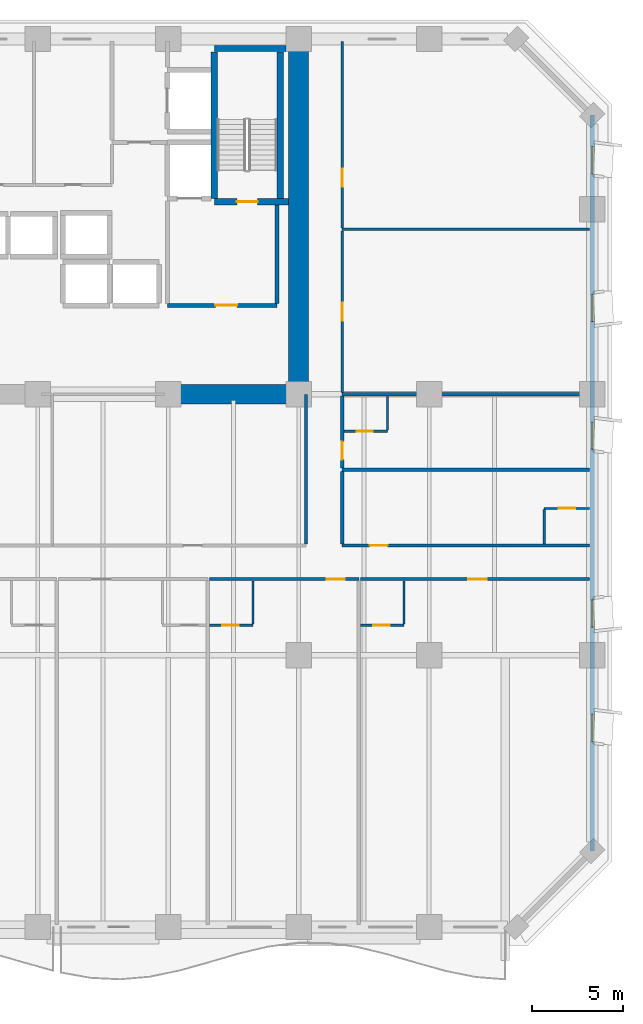
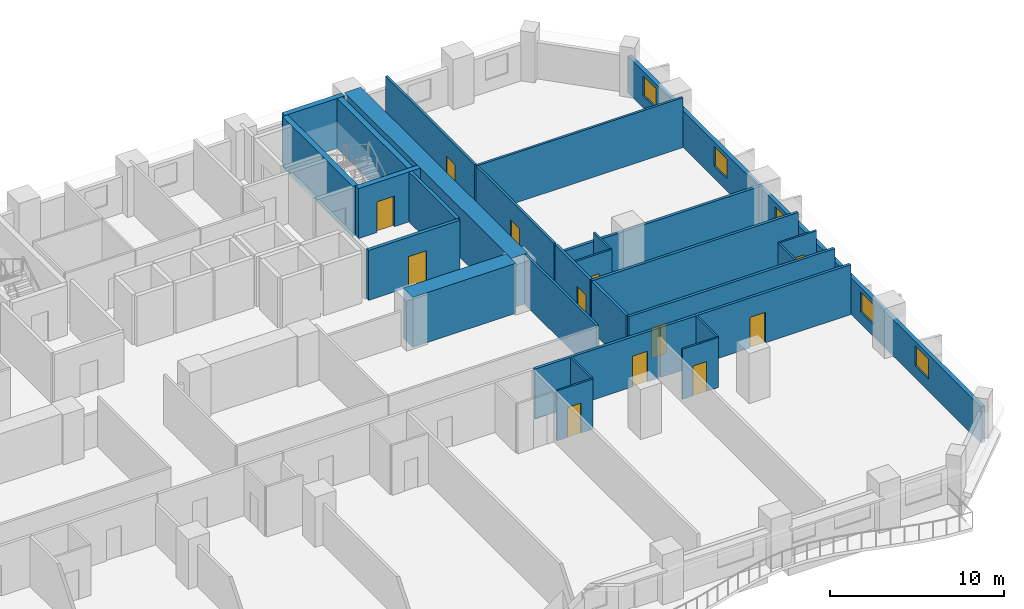
# One storey, part 10 of 15: 28 walls, 12 doors, 5 windows, 17 openings.
"""IFC4 building model written with IfcOpenShell, lengths in metres."""

from ifc_helpers import new_model, si_unit, direction, frame, frame_2d, origin, place, context, subcontext, project, spatial, rectangle, extrude, material, layer, layer_set, type_object, element, fill, save


model = new_model("IFC4")

# Units and contexts
model_context = context("Model", 3, precision=1e-05, world=origin(), true_north=direction((0.0, 1.0)))
body_context = subcontext(model_context, "Body", "Model", "MODEL_VIEW")
ifc_project = project(units=[si_unit("LENGTHUNIT", "METRE"), si_unit("AREAUNIT", "SQUARE_METRE"), si_unit("VOLUMEUNIT", "CUBIC_METRE"), si_unit("PLANEANGLEUNIT", "RADIAN"), si_unit("MASSUNIT", "GRAM", prefix="KILO")], contexts=[model_context])

# Site, building, storey
site_placement = place(None, origin())
site = spatial("IfcSite", under=ifc_project, at=site_placement, CompositionType="ELEMENT")
building_placement = place(site_placement, origin())
building = spatial("IfcBuilding", under=site, at=building_placement, Name="Kaelvorn Grand Hotel", CompositionType="ELEMENT")
storey_placement = place(building_placement, frame((0.0, 0.0, 72.64990234375)))
storey = spatial("IfcBuildingStorey", under=building, at=storey_placement, Name="L16", CompositionType="ELEMENT", Elevation=72.64990234375)

# Walls
ifc_material_1 = material(Name="Concrete C80/95", Category="concrete")
ifc_layer_1 = layer(ifc_material_1, 1.10009765625)
ifc_layer_set_1 = layer_set([ifc_layer_1], Name="Concrete C80/95")
wall_type_1 = type_object("IfcWallType", Name="WL-CORE-1100-C80", PredefinedType="SHEAR", material=ifc_layer_set_1)
wall_1_placement = place(storey_placement, frame((67.800048828125, 29.39990234375, 0.0), z_axis=(0.0, 0.0, 1.0), x_axis=(0.0, 1.0, 0.0)))
element("IfcWall", 1, at=wall_1_placement, inside=storey, type_object=wall_type_1, Name="L16 Rear-Core East Shear Wall", PredefinedType="SHEAR", context=body_context, shape_type="SweptSolid", body=[
    extrude(rectangle(XDim=19.2001953125, YDim=1.10009765625, at=frame_2d((9.60009765625, 0.0))), origin(), (0.0, 0.0, 1.0), 3.510009765625),
])
wall_2_placement = place(storey_placement, frame((60.39990234375, 29.39990234375, 0.0), z_axis=(0.0, 0.0, 1.0), x_axis=(1.0, 0.0, 0.0)))
element("IfcWall", 2, at=wall_2_placement, inside=storey, type_object=wall_type_1, Name="L16 Rear-Core Coupled Shear Pier S4", PredefinedType="SHEAR", context=body_context, shape_type="SweptSolid", body=[
    extrude(rectangle(XDim=6.84521484375, YDim=1.10009765625, at=frame_2d((3.422607421875, 0.0))), origin(), (0.0, 0.0, 1.0), 3.510009765625),
])

# Wall, openings, windows
ifc_material_2 = material(Name="Concrete C40/50", Category="concrete")
ifc_layer_2 = layer(ifc_material_2, 0.260009765625)
ifc_layer_set_2 = layer_set([ifc_layer_2], Name="Concrete C40/50")
wall_type_2 = type_object("IfcWallType", Name="WL-EXT-260-C40", PredefinedType="SOLIDWALL", material=ifc_layer_set_2)
wall_3_placement = place(storey_placement, frame((84.0, 4.199951171875, 0.0), z_axis=(0.0, 0.0, 1.0), x_axis=(0.0, 1.0, 0.0)))
wall_3 = element("IfcWall", 3, at=wall_3_placement, inside=storey, type_object=wall_type_2, Name="L16 Exterior Architectural Concrete Wall 03", PredefinedType="SOLIDWALL", context=body_context, shape_type="SweptSolid", body=[
    extrude(rectangle(XDim=40.60009765625, YDim=0.260009765625, at=frame_2d((20.300048828125, 0.0))), origin(), (0.0, 0.0, 1.0), 2.56005859375),
])
opening_1_placement = place(wall_3_placement, frame((6.050048828125, 0.0, 0.85009765625)))
opening_1 = element("IfcOpeningElement", 4, at=opening_1_placement, cuts=wall_3, Name="Opening W10", PredefinedType="OPENING", context=body_context, shape_type="SweptSolid", body=[
    extrude(rectangle(XDim=1.5, YDim=1.39990234375, at=frame_2d((0.75, 0.699951171875))), frame((0.0, 0.14013671875, 0.0), z_axis=(0.0, -1.0, 0.0), x_axis=(1.0, 0.0, 0.0)), (0.0, 0.0, 1.0), 0.280029296875),
])
opening_2_placement = place(wall_3_placement, frame((12.35009765625, 0.0, 0.85009765625)))
opening_2 = element("IfcOpeningElement", 5, at=opening_2_placement, cuts=wall_3, Name="Opening W10", PredefinedType="OPENING", context=body_context, shape_type="SweptSolid", body=[
    extrude(rectangle(XDim=1.5, YDim=1.39990234375, at=frame_2d((0.75, 0.699951171875))), frame((0.0, 0.14013671875, 0.0), z_axis=(0.0, -1.0, 0.0), x_axis=(1.0, 0.0, 0.0)), (0.0, 0.0, 1.0), 0.280029296875),
])
opening_3_placement = place(wall_3_placement, frame((22.1650390625, 0.0, 0.85009765625)))
opening_3 = element("IfcOpeningElement", 6, at=opening_3_placement, cuts=wall_3, Name="Opening W10", PredefinedType="OPENING", context=body_context, shape_type="SweptSolid", body=[
    extrude(rectangle(XDim=1.5, YDim=1.39990234375, at=frame_2d((0.75, 0.699951171875))), frame((0.0, 0.14013671875, 0.0), z_axis=(0.0, -1.0, 0.0), x_axis=(1.0, 0.0, 0.0)), (0.0, 0.0, 1.0), 0.280029296875),
])
opening_4_placement = place(wall_3_placement, frame((29.199951171875, 0.0, 0.85009765625)))
opening_4 = element("IfcOpeningElement", 7, at=opening_4_placement, cuts=wall_3, Name="Opening W10", PredefinedType="OPENING", context=body_context, shape_type="SweptSolid", body=[
    extrude(rectangle(XDim=1.5, YDim=1.39990234375, at=frame_2d((0.75, 0.699951171875))), frame((0.0, 0.14013671875, 0.0), z_axis=(0.0, -1.0, 0.0), x_axis=(1.0, 0.0, 0.0)), (0.0, 0.0, 1.0), 0.280029296875),
])
opening_5_placement = place(wall_3_placement, frame((37.364990234375, 0.0, 0.85009765625)))
opening_5 = element("IfcOpeningElement", 8, at=opening_5_placement, cuts=wall_3, Name="Opening W10", PredefinedType="OPENING", context=body_context, shape_type="SweptSolid", body=[
    extrude(rectangle(XDim=1.5, YDim=1.39990234375, at=frame_2d((0.75, 0.699951171875))), frame((0.0, 0.14013671875, 0.0), z_axis=(0.0, -1.0, 0.0), x_axis=(1.0, 0.0, 0.0)), (0.0, 0.0, 1.0), 0.280029296875),
])
ifc_material_3 = material(Name="Laminated Low-E Glass", Category="glass")
window_type = type_object("IfcWindowType", Name="WIN-COR-1500x1400", PartitioningType="SINGLE_PANEL", PredefinedType="WINDOW", material=ifc_material_3)
window_1_placement = place(opening_1_placement, origin())
window_1 = element("IfcWindow", 9, at=window_1_placement, inside=storey, type_object=window_type, Name="L16 E Wing Tilted-Frame Ribbon Window E01", OverallHeight=1.39990234375, OverallWidth=1.5, PartitioningType="SINGLE_PANEL", PredefinedType="WINDOW", context=body_context, shape_type="SweptSolid", body=[
    extrude(rectangle(XDim=1.5, YDim=1.39990234375, at=frame_2d((0.75, 0.699951171875))), frame((0.0, 0.030029296875, 0.0), z_axis=(0.0, -1.0, 0.0), x_axis=(1.0, 0.0, 0.0)), (0.0, 0.0, 1.0), 0.06005859375),
])
fill(opening_1, window_1)
window_2_placement = place(opening_2_placement, origin())
window_2 = element("IfcWindow", 10, at=window_2_placement, inside=storey, type_object=window_type, Name="L16 E Wing Tilted-Frame Ribbon Window E02", OverallHeight=1.39990234375, OverallWidth=1.5, PartitioningType="SINGLE_PANEL", PredefinedType="WINDOW", context=body_context, shape_type="SweptSolid", body=[
    extrude(rectangle(XDim=1.5, YDim=1.39990234375, at=frame_2d((0.75, 0.699951171875))), frame((0.0, 0.030029296875, 0.0), z_axis=(0.0, -1.0, 0.0), x_axis=(1.0, 0.0, 0.0)), (0.0, 0.0, 1.0), 0.06005859375),
])
fill(opening_2, window_2)
window_3_placement = place(opening_3_placement, origin())
window_3 = element("IfcWindow", 11, at=window_3_placement, inside=storey, type_object=window_type, Name="L16 E Wing Tilted-Frame Ribbon Window E03", OverallHeight=1.39990234375, OverallWidth=1.5, PartitioningType="SINGLE_PANEL", PredefinedType="WINDOW", context=body_context, shape_type="SweptSolid", body=[
    extrude(rectangle(XDim=1.5, YDim=1.39990234375, at=frame_2d((0.75, 0.699951171875))), frame((0.0, 0.030029296875, 0.0), z_axis=(0.0, -1.0, 0.0), x_axis=(1.0, 0.0, 0.0)), (0.0, 0.0, 1.0), 0.06005859375),
])
fill(opening_3, window_3)
window_4_placement = place(opening_4_placement, origin())
window_4 = element("IfcWindow", 12, at=window_4_placement, inside=storey, type_object=window_type, Name="L16 E Wing Tilted-Frame Ribbon Window E04", OverallHeight=1.39990234375, OverallWidth=1.5, PartitioningType="SINGLE_PANEL", PredefinedType="WINDOW", context=body_context, shape_type="SweptSolid", body=[
    extrude(rectangle(XDim=1.5, YDim=1.39990234375, at=frame_2d((0.75, 0.699951171875))), frame((0.0, 0.030029296875, 0.0), z_axis=(0.0, -1.0, 0.0), x_axis=(1.0, 0.0, 0.0)), (0.0, 0.0, 1.0), 0.06005859375),
])
fill(opening_4, window_4)
window_5_placement = place(opening_5_placement, origin())
window_5 = element("IfcWindow", 13, at=window_5_placement, inside=storey, type_object=window_type, Name="L16 E Wing Tilted-Frame Ribbon Window E05", OverallHeight=1.39990234375, OverallWidth=1.5, PartitioningType="SINGLE_PANEL", PredefinedType="WINDOW", context=body_context, shape_type="SweptSolid", body=[
    extrude(rectangle(XDim=1.5, YDim=1.39990234375, at=frame_2d((0.75, 0.699951171875))), frame((0.0, 0.030029296875, 0.0), z_axis=(0.0, -1.0, 0.0), x_axis=(1.0, 0.0, 0.0)), (0.0, 0.0, 1.0), 0.06005859375),
])
fill(opening_5, window_5)

# Wall, opening, door
ifc_material_4 = material(Name="Moisture-Resistant Tile & Stud Board")
ifc_layer_3 = layer(ifc_material_4, 0.125)
ifc_layer_set_3 = layer_set([ifc_layer_3], Name="Moisture-Resistant Tile & Stud Board")
wall_type_3 = type_object("IfcWallType", Name="WL-PART-125-WET", PredefinedType="PARTITIONING", material=ifc_layer_set_3)
wall_4_placement = place(storey_placement, frame((62.8779296875, 16.64990234375, 0.0), z_axis=(0.0, 0.0, 1.0), x_axis=(1.0, 0.0, 0.0)))
wall_4 = element("IfcWall", 14, at=wall_4_placement, inside=storey, type_object=wall_type_3, Name="L16 En-suite Bathroom L16-08 S Partition", PredefinedType="PARTITIONING", context=body_context, shape_type="SweptSolid", body=[
    extrude(rectangle(XDim=2.405029296875, YDim=0.125, at=frame_2d((1.20263671875, 0.0))), origin(), (0.0, 0.0, 1.0), 3.510009765625),
])
opening_6_placement = place(wall_4_placement, frame((0.705078125, 0.0, 0.0)))
opening_6 = element("IfcOpeningElement", 15, at=opening_6_placement, cuts=wall_4, Name="Opening DI4", PredefinedType="OPENING", context=body_context, shape_type="SweptSolid", body=[
    extrude(rectangle(XDim=0.89990234375, YDim=2.10009765625, at=frame_2d((0.449951171875, 1.050048828125))), frame((0.0, 0.072509765625, 0.0), z_axis=(0.0, -1.0, 0.0), x_axis=(1.0, 0.0, 0.0)), (0.0, 0.0, 1.0), 0.14501953125),
])
ifc_material_5 = material(Name="Timber Veneer Leaf", Category="wood")
door_type_1 = type_object("IfcDoorType", Name="DR-INT-BATH-900x2100", OperationType="NOTDEFINED", PredefinedType="DOOR", material=ifc_material_5)
door_1_placement = place(opening_6_placement, origin())
door_1 = element("IfcDoor", 16, at=door_1_placement, inside=storey, type_object=door_type_1, Name="L16 En-suite Bathroom L16-08 Door", OperationType="SINGLE_SWING_RIGHT", OverallHeight=2.10009765625, OverallWidth=0.89990234375, PredefinedType="DOOR", context=body_context, shape_type="SweptSolid", body=[
    extrude(rectangle(XDim=0.89990234375, YDim=2.10009765625, at=frame_2d((0.449951171875, 1.050048828125))), frame((0.0, 0.02490234375, 0.0), z_axis=(0.0, -1.0, 0.0), x_axis=(1.0, 0.0, 0.0)), (0.0, 0.0, 1.0), 0.050048828125),
])
fill(opening_6, door_1)

# Wall
wall_5_placement = place(storey_placement, frame((65.282958984375, 16.717529296875, 0.0), z_axis=(0.0, 0.0, 1.0), x_axis=(0.0, 1.0, 0.0)))
element("IfcWall", 17, at=wall_5_placement, inside=storey, type_object=wall_type_3, Name="L16 En-suite Bathroom L16-08 E Partition", PredefinedType="PARTITIONING", context=body_context, shape_type="SweptSolid", body=[
    extrude(rectangle(XDim=2.387451171875, YDim=0.125, at=frame_2d((1.19384765625, 0.0))), origin(), (0.0, 0.0, 1.0), 3.510009765625),
])

# Wall, opening, door
wall_6_placement = place(storey_placement, frame((71.211181640625, 16.64990234375, 0.0), z_axis=(0.0, 0.0, 1.0), x_axis=(1.0, 0.0, 0.0)))
wall_6 = element("IfcWall", 18, at=wall_6_placement, inside=storey, type_object=wall_type_3, Name="L16 En-suite Bathroom L16-09 S Partition", PredefinedType="PARTITIONING", context=body_context, shape_type="SweptSolid", body=[
    extrude(rectangle(XDim=2.405029296875, YDim=0.125, at=frame_2d((1.20263671875, 0.0))), origin(), (0.0, 0.0, 1.0), 3.510009765625),
])
opening_7_placement = place(wall_6_placement, frame((0.705078125, 0.0, 0.0)))
opening_7 = element("IfcOpeningElement", 19, at=opening_7_placement, cuts=wall_6, Name="Opening DI4", PredefinedType="OPENING", context=body_context, shape_type="SweptSolid", body=[
    extrude(rectangle(XDim=0.89990234375, YDim=2.10009765625, at=frame_2d((0.449951171875, 1.050048828125))), frame((0.0, 0.072509765625, 0.0), z_axis=(0.0, -1.0, 0.0), x_axis=(1.0, 0.0, 0.0)), (0.0, 0.0, 1.0), 0.14501953125),
])
door_2_placement = place(opening_7_placement, origin())
door_2 = element("IfcDoor", 20, at=door_2_placement, inside=storey, type_object=door_type_1, Name="L16 En-suite Bathroom L16-09 Door", OperationType="SINGLE_SWING_RIGHT", OverallHeight=2.10009765625, OverallWidth=0.89990234375, PredefinedType="DOOR", context=body_context, shape_type="SweptSolid", body=[
    extrude(rectangle(XDim=0.89990234375, YDim=2.10009765625, at=frame_2d((0.449951171875, 1.050048828125))), frame((0.0, 0.02490234375, 0.0), z_axis=(0.0, -1.0, 0.0), x_axis=(1.0, 0.0, 0.0)), (0.0, 0.0, 1.0), 0.050048828125),
])
fill(opening_7, door_2)

# Wall
wall_7_placement = place(storey_placement, frame((73.6162109375, 16.717529296875, 0.0), z_axis=(0.0, 0.0, 1.0), x_axis=(0.0, 1.0, 0.0)))
element("IfcWall", 21, at=wall_7_placement, inside=storey, type_object=wall_type_3, Name="L16 En-suite Bathroom L16-09 E Partition", PredefinedType="PARTITIONING", context=body_context, shape_type="SweptSolid", body=[
    extrude(rectangle(XDim=2.387451171875, YDim=0.125, at=frame_2d((1.19384765625, 0.0))), origin(), (0.0, 0.0, 1.0), 3.510009765625),
])

# Wall, opening, door
wall_8_placement = place(storey_placement, frame((81.35009765625, 23.10009765625, 0.0), z_axis=(0.0, 0.0, 1.0), x_axis=(1.0, 0.0, 0.0)))
wall_8 = element("IfcWall", 22, at=wall_8_placement, inside=storey, type_object=wall_type_3, Name="L16 En-suite Bathroom L16-12 N Partition", PredefinedType="PARTITIONING", context=body_context, shape_type="SweptSolid", body=[
    extrude(rectangle(XDim=2.5, YDim=0.125, at=frame_2d((1.25, 0.0))), origin(), (0.0, 0.0, 1.0), 3.510009765625),
])
opening_8_placement = place(wall_8_placement, frame((0.800048828125, 0.0, 0.0)))
opening_8 = element("IfcOpeningElement", 23, at=opening_8_placement, cuts=wall_8, Name="Opening DI4", PredefinedType="OPENING", context=body_context, shape_type="SweptSolid", body=[
    extrude(rectangle(XDim=0.89990234375, YDim=2.10009765625, at=frame_2d((0.449951171875, 1.050048828125))), frame((0.0, 0.072509765625, 0.0), z_axis=(0.0, -1.0, 0.0), x_axis=(1.0, 0.0, 0.0)), (0.0, 0.0, 1.0), 0.14501953125),
])
door_3_placement = place(opening_8_placement, origin())
door_3 = element("IfcDoor", 24, at=door_3_placement, inside=storey, type_object=door_type_1, Name="L16 En-suite Bathroom L16-12 Door", OperationType="SINGLE_SWING_RIGHT", OverallHeight=2.10009765625, OverallWidth=0.89990234375, PredefinedType="DOOR", context=body_context, shape_type="SweptSolid", body=[
    extrude(rectangle(XDim=0.89990234375, YDim=2.10009765625, at=frame_2d((0.449951171875, 1.050048828125))), frame((0.0, 0.02490234375, 0.0), z_axis=(0.0, -1.0, 0.0), x_axis=(1.0, 0.0, 0.0)), (0.0, 0.0, 1.0), 0.050048828125),
])
fill(opening_8, door_3)

# Wall
wall_9_placement = place(storey_placement, frame((81.35009765625, 21.14501953125, 0.0), z_axis=(0.0, 0.0, 1.0), x_axis=(0.0, 1.0, 0.0)))
element("IfcWall", 25, at=wall_9_placement, inside=storey, type_object=wall_type_3, Name="L16 En-suite Bathroom L16-12 W Partition", PredefinedType="PARTITIONING", context=body_context, shape_type="SweptSolid", body=[
    extrude(rectangle(XDim=1.887451171875, YDim=0.125, at=frame_2d((0.94384765625, 0.0))), origin(), (0.0, 0.0, 1.0), 3.510009765625),
])

# Wall, opening, door
wall_10_placement = place(storey_placement, frame((70.294921875, 27.35009765625, 0.0), z_axis=(0.0, 0.0, 1.0), x_axis=(1.0, 0.0, 0.0)))
wall_10 = element("IfcWall", 26, at=wall_10_placement, inside=storey, type_object=wall_type_3, Name="L16 En-suite Bathroom L16-13 S Partition", PredefinedType="PARTITIONING", context=body_context, shape_type="SweptSolid", body=[
    extrude(rectangle(XDim=2.405029296875, YDim=0.125, at=frame_2d((1.20263671875, 0.0))), origin(), (0.0, 0.0, 1.0), 3.510009765625),
])
opening_9_placement = place(wall_10_placement, frame((0.705078125, 0.0, 0.0)))
opening_9 = element("IfcOpeningElement", 27, at=opening_9_placement, cuts=wall_10, Name="Opening DI4", PredefinedType="OPENING", context=body_context, shape_type="SweptSolid", body=[
    extrude(rectangle(XDim=0.89990234375, YDim=2.10009765625, at=frame_2d((0.449951171875, 1.050048828125))), frame((0.0, 0.072509765625, 0.0), z_axis=(0.0, -1.0, 0.0), x_axis=(1.0, 0.0, 0.0)), (0.0, 0.0, 1.0), 0.14501953125),
])
door_4_placement = place(opening_9_placement, origin())
door_4 = element("IfcDoor", 28, at=door_4_placement, inside=storey, type_object=door_type_1, Name="L16 En-suite Bathroom L16-13 Door", OperationType="SINGLE_SWING_RIGHT", OverallHeight=2.10009765625, OverallWidth=0.89990234375, PredefinedType="DOOR", context=body_context, shape_type="SweptSolid", body=[
    extrude(rectangle(XDim=0.89990234375, YDim=2.10009765625, at=frame_2d((0.449951171875, 1.050048828125))), frame((0.0, 0.02490234375, 0.0), z_axis=(0.0, -1.0, 0.0), x_axis=(1.0, 0.0, 0.0)), (0.0, 0.0, 1.0), 0.050048828125),
])
fill(opening_9, door_4)

# Walls
wall_11_placement = place(storey_placement, frame((72.699951171875, 27.41748046875, 0.0), z_axis=(0.0, 0.0, 1.0), x_axis=(0.0, 1.0, 0.0)))
element("IfcWall", 29, at=wall_11_placement, inside=storey, type_object=wall_type_3, Name="L16 En-suite Bathroom L16-13 E Partition", PredefinedType="PARTITIONING", context=body_context, shape_type="SweptSolid", body=[
    extrude(rectangle(XDim=1.887451171875, YDim=0.125, at=frame_2d((0.94384765625, 0.0))), origin(), (0.0, 0.0, 1.0), 3.510009765625),
])
ifc_material_6 = material(Name="Acoustic Gypsum & Stud Partition")
ifc_layer_4 = layer(ifc_material_6, 0.14990234375)
ifc_layer_set_4 = layer_set([ifc_layer_4], Name="Acoustic Gypsum & Stud Partition")
wall_type_4 = type_object("IfcWallType", Name="WL-PART-150-EI60", PredefinedType="PARTITIONING", material=ifc_layer_set_4)
wall_12_placement = place(storey_placement, frame((68.199951171875, 21.1298828125, 0.0), z_axis=(0.0, 0.0, 1.0), x_axis=(0.0, 1.0, 0.0)))
element("IfcWall", 30, at=wall_12_placement, inside=storey, type_object=wall_type_4, Name="L16 Press Briefing Office E Partition", PredefinedType="PARTITIONING", context=body_context, shape_type="SweptSolid", body=[
    extrude(rectangle(XDim=8.260009765625, YDim=0.14990234375, at=frame_2d((4.1298828125, 0.0))), origin(), (0.0, 0.0, 1.0), 3.510009765625),
])
wall_13_placement = place(storey_placement, frame((70.199951171875, 38.5, 0.0), z_axis=(0.0, 0.0, 1.0), x_axis=(1.0, 0.0, 0.0)))
element("IfcWall", 31, at=wall_13_placement, inside=storey, type_object=wall_type_4, Name="L16 North-East Press Briefing Office N Partition", PredefinedType="PARTITIONING", context=body_context, shape_type="SweptSolid", body=[
    extrude(rectangle(XDim=13.650146484375, YDim=0.14990234375, at=frame_2d((6.8251953125, 0.0))), origin(), (0.0, 0.0, 1.0), 3.510009765625),
])

# Wall, opening, door
wall_14_placement = place(storey_placement, frame((70.199951171875, 29.4951171875, 0.0), z_axis=(0.0, 0.0, 1.0), x_axis=(0.0, 1.0, 0.0)))
wall_14 = element("IfcWall", 32, at=wall_14_placement, inside=storey, type_object=wall_type_4, Name="L16 North-East Press Briefing Office W Partition", PredefinedType="PARTITIONING", context=body_context, shape_type="SweptSolid", body=[
    extrude(rectangle(XDim=8.9248046875, YDim=0.14990234375, at=frame_2d((4.46240234375, 0.0))), origin(), (0.0, 0.0, 1.0), 3.510009765625),
])
opening_10_placement = place(wall_14_placement, frame((3.955078125, 0.0, 0.0)))
opening_10 = element("IfcOpeningElement", 33, at=opening_10_placement, cuts=wall_14, Name="Opening DI3", PredefinedType="OPENING", context=body_context, shape_type="SweptSolid", body=[
    extrude(rectangle(XDim=1.0, YDim=2.14990234375, at=frame_2d((0.5, 1.074951171875))), frame((0.0, 0.0849609375, 0.0), z_axis=(0.0, -1.0, 0.0), x_axis=(1.0, 0.0, 0.0)), (0.0, 0.0, 1.0), 0.169921875),
])
ifc_material_7 = material(Name="Timber Veneer Fire Leaf", Category="wood")
door_type_2 = type_object("IfcDoorType", Name="DR-INT-GUEST-1000x2150", OperationType="NOTDEFINED", PredefinedType="DOOR", material=ifc_material_7)
door_5_placement = place(opening_10_placement, origin())
door_5 = element("IfcDoor", 34, at=door_5_placement, inside=storey, type_object=door_type_2, Name="L16 North-East Press Briefing Office Door", OperationType="SINGLE_SWING_LEFT", OverallHeight=2.14990234375, OverallWidth=1.0, PredefinedType="DOOR", context=body_context, shape_type="SweptSolid", body=[
    extrude(rectangle(XDim=1.0, YDim=2.14990234375, at=frame_2d((0.5, 1.074951171875))), frame((0.0, 0.02490234375, 0.0), z_axis=(0.0, -1.0, 0.0), x_axis=(1.0, 0.0, 0.0)), (0.0, 0.0, 1.0), 0.050048828125),
])
fill(opening_10, door_5)

wall_15_placement = place(storey_placement, frame((70.199951171875, 38.580078125, 0.0), z_axis=(0.0, 0.0, 1.0), x_axis=(0.0, 1.0, 0.0)))
wall_15 = element("IfcWall", 35, at=wall_15_placement, inside=storey, type_object=wall_type_4, Name="L16 North-East Private Cinema Lounge W Partition", PredefinedType="PARTITIONING", context=body_context, shape_type="SweptSolid", body=[
    extrude(rectangle(XDim=10.27001953125, YDim=0.14990234375, at=frame_2d((5.135009765625, 0.0))), origin(), (0.0, 0.0, 1.0), 3.510009765625),
])
opening_11_placement = place(wall_15_placement, frame((2.27001953125, 0.0, 0.0)))
opening_11 = element("IfcOpeningElement", 36, at=opening_11_placement, cuts=wall_15, Name="Opening DI3", PredefinedType="OPENING", context=body_context, shape_type="SweptSolid", body=[
    extrude(rectangle(XDim=1.0, YDim=2.14990234375, at=frame_2d((0.5, 1.074951171875))), frame((0.0, 0.0849609375, 0.0), z_axis=(0.0, -1.0, 0.0), x_axis=(1.0, 0.0, 0.0)), (0.0, 0.0, 1.0), 0.169921875),
])
door_6_placement = place(opening_11_placement, origin())
door_6 = element("IfcDoor", 37, at=door_6_placement, inside=storey, type_object=door_type_2, Name="L16 North-East Private Cinema Lounge Door", OperationType="SINGLE_SWING_RIGHT", OverallHeight=2.14990234375, OverallWidth=1.0, PredefinedType="DOOR", context=body_context, shape_type="SweptSolid", body=[
    extrude(rectangle(XDim=1.0, YDim=2.14990234375, at=frame_2d((0.5, 1.074951171875))), frame((0.0, 0.02490234375, 0.0), z_axis=(0.0, -1.0, 0.0), x_axis=(1.0, 0.0, 0.0)), (0.0, 0.0, 1.0), 0.050048828125),
])
fill(opening_11, door_6)

ifc_layer_5 = layer(ifc_material_6, 0.179931640625)
ifc_layer_set_5 = layer_set([ifc_layer_5], Name="Acoustic Gypsum & Stud Partition")
wall_type_5 = type_object("IfcWallType", Name="WL-PART-180-EI60", PredefinedType="PARTITIONING", material=ifc_layer_set_5)
wall_16_placement = place(storey_placement, frame((62.8779296875, 19.199951171875, 0.0), z_axis=(0.0, 0.0, 1.0), x_axis=(1.0, 0.0, 0.0)))
wall_16 = element("IfcWall", 38, at=wall_16_placement, inside=storey, type_object=wall_type_5, Name="L16 Deluxe Panoramic Suite L16-08 N Partition", PredefinedType="PARTITIONING", context=body_context, shape_type="SweptSolid", body=[
    extrude(rectangle(XDim=8.23828125, YDim=0.179931640625, at=frame_2d((4.119140625, 0.0))), origin(), (0.0, 0.0, 1.0), 3.510009765625),
])
opening_12_placement = place(wall_16_placement, frame((6.47021484375, 0.0, 0.0)))
opening_12 = element("IfcOpeningElement", 39, at=opening_12_placement, cuts=wall_16, Name="Opening DI3", PredefinedType="OPENING", context=body_context, shape_type="SweptSolid", body=[
    extrude(rectangle(XDim=1.0, YDim=2.14990234375, at=frame_2d((0.5, 1.074951171875))), frame((0.0, 0.10009765625, 0.0), z_axis=(0.0, -1.0, 0.0), x_axis=(1.0, 0.0, 0.0)), (0.0, 0.0, 1.0), 0.199951171875),
])
door_7_placement = place(opening_12_placement, origin())
door_7 = element("IfcDoor", 40, at=door_7_placement, inside=storey, type_object=door_type_2, Name="L16 Deluxe Panoramic Suite L16-08 Door", OperationType="SINGLE_SWING_LEFT", OverallHeight=2.14990234375, OverallWidth=1.0, PredefinedType="DOOR", context=body_context, shape_type="SweptSolid", body=[
    extrude(rectangle(XDim=1.0, YDim=2.14990234375, at=frame_2d((0.5, 1.074951171875))), frame((0.0, 0.02490234375, 0.0), z_axis=(0.0, -1.0, 0.0), x_axis=(1.0, 0.0, 0.0)), (0.0, 0.0, 1.0), 0.050048828125),
])
fill(opening_12, door_7)

wall_17_placement = place(storey_placement, frame((71.211181640625, 19.199951171875, 0.0), z_axis=(0.0, 0.0, 1.0), x_axis=(1.0, 0.0, 0.0)))
wall_17 = element("IfcWall", 41, at=wall_17_placement, inside=storey, type_object=wall_type_5, Name="L16 Presidential Sky Suite L16-09 N Partition", PredefinedType="PARTITIONING", context=body_context, shape_type="SweptSolid", body=[
    extrude(rectangle(XDim=12.638916015625, YDim=0.179931640625, at=frame_2d((6.3193359375, 0.0))), origin(), (0.0, 0.0, 1.0), 3.510009765625),
])
opening_13_placement = place(wall_17_placement, frame((5.95361328125, 0.0, 0.0)))
opening_13 = element("IfcOpeningElement", 42, at=opening_13_placement, cuts=wall_17, Name="Opening DI3", PredefinedType="OPENING", context=body_context, shape_type="SweptSolid", body=[
    extrude(rectangle(XDim=1.0, YDim=2.14990234375, at=frame_2d((0.5, 1.074951171875))), frame((0.0, 0.10009765625, 0.0), z_axis=(0.0, -1.0, 0.0), x_axis=(1.0, 0.0, 0.0)), (0.0, 0.0, 1.0), 0.199951171875),
])
door_8_placement = place(opening_13_placement, origin())
door_8 = element("IfcDoor", 43, at=door_8_placement, inside=storey, type_object=door_type_2, Name="L16 Presidential Sky Suite L16-09 Door", OperationType="SINGLE_SWING_LEFT", OverallHeight=2.14990234375, OverallWidth=1.0, PredefinedType="DOOR", context=body_context, shape_type="SweptSolid", body=[
    extrude(rectangle(XDim=1.0, YDim=2.14990234375, at=frame_2d((0.5, 1.074951171875))), frame((0.0, 0.02490234375, 0.0), z_axis=(0.0, -1.0, 0.0), x_axis=(1.0, 0.0, 0.0)), (0.0, 0.0, 1.0), 0.050048828125),
])
fill(opening_13, door_8)

wall_18_placement = place(storey_placement, frame((70.199951171875, 21.050048828125, 0.0), z_axis=(0.0, 0.0, 1.0), x_axis=(1.0, 0.0, 0.0)))
wall_18 = element("IfcWall", 44, at=wall_18_placement, inside=storey, type_object=wall_type_5, Name="L16 East Wing Panoramic Suite L16-12 S Partition", PredefinedType="PARTITIONING", context=body_context, shape_type="SweptSolid", body=[
    extrude(rectangle(XDim=13.650146484375, YDim=0.179931640625, at=frame_2d((6.8251953125, 0.0))), origin(), (0.0, 0.0, 1.0), 3.510009765625),
])
opening_14_placement = place(wall_18_placement, frame((1.510009765625, 0.0, 0.0)))
opening_14 = element("IfcOpeningElement", 45, at=opening_14_placement, cuts=wall_18, Name="Opening DI3", PredefinedType="OPENING", context=body_context, shape_type="SweptSolid", body=[
    extrude(rectangle(XDim=1.0, YDim=2.14990234375, at=frame_2d((0.5, 1.074951171875))), frame((0.0, 0.10009765625, 0.0), z_axis=(0.0, -1.0, 0.0), x_axis=(1.0, 0.0, 0.0)), (0.0, 0.0, 1.0), 0.199951171875),
])
door_9_placement = place(opening_14_placement, origin())
door_9 = element("IfcDoor", 46, at=door_9_placement, inside=storey, type_object=door_type_2, Name="L16 East Wing Panoramic Suite L16-12 Door", OperationType="SINGLE_SWING_LEFT", OverallHeight=2.14990234375, OverallWidth=1.0, PredefinedType="DOOR", context=body_context, shape_type="SweptSolid", body=[
    extrude(rectangle(XDim=1.0, YDim=2.14990234375, at=frame_2d((0.5, 1.074951171875))), frame((0.0, 0.02490234375, 0.0), z_axis=(0.0, -1.0, 0.0), x_axis=(1.0, 0.0, 0.0)), (0.0, 0.0, 1.0), 0.050048828125),
])
fill(opening_14, door_9)

# Walls
wall_19_placement = place(storey_placement, frame((70.199951171875, 25.22998046875, 0.0), z_axis=(0.0, 0.0, 1.0), x_axis=(1.0, 0.0, 0.0)))
element("IfcWall", 47, at=wall_19_placement, inside=storey, type_object=wall_type_5, Name="L16 East Wing Panoramic Suite L16-12 N Partition", PredefinedType="PARTITIONING", context=body_context, shape_type="SweptSolid", body=[
    extrude(rectangle(XDim=13.650146484375, YDim=0.179931640625, at=frame_2d((6.8251953125, 0.0))), origin(), (0.0, 0.0, 1.0), 3.510009765625),
])
wall_20_placement = place(storey_placement, frame((70.199951171875, 21.14501953125, 0.0), z_axis=(0.0, 0.0, 1.0), x_axis=(0.0, 1.0, 0.0)))
element("IfcWall", 48, at=wall_20_placement, inside=storey, type_object=wall_type_5, Name="L16 East Wing Panoramic Suite L16-12 W Partition", PredefinedType="PARTITIONING", context=body_context, shape_type="SweptSolid", body=[
    extrude(rectangle(XDim=3.989990234375, YDim=0.179931640625, at=frame_2d((1.9951171875, 0.0))), origin(), (0.0, 0.0, 1.0), 3.510009765625),
])
wall_21_placement = place(storey_placement, frame((70.199951171875, 29.39990234375, 0.0), z_axis=(0.0, 0.0, 1.0), x_axis=(1.0, 0.0, 0.0)))
element("IfcWall", 49, at=wall_21_placement, inside=storey, type_object=wall_type_5, Name="L16 East Mid-Wing Suite L16-13 N Partition", PredefinedType="PARTITIONING", context=body_context, shape_type="SweptSolid", body=[
    extrude(rectangle(XDim=13.650146484375, YDim=0.179931640625, at=frame_2d((6.8251953125, 0.0))), origin(), (0.0, 0.0, 1.0), 2.860107421875),
])

# Wall, opening, door
wall_22_placement = place(storey_placement, frame((70.199951171875, 25.324951171875, 0.0), z_axis=(0.0, 0.0, 1.0), x_axis=(0.0, 1.0, 0.0)))
wall_22 = element("IfcWall", 50, at=wall_22_placement, inside=storey, type_object=wall_type_5, Name="L16 East Mid-Wing Suite L16-13 W Partition", PredefinedType="PARTITIONING", context=body_context, shape_type="SweptSolid", body=[
    extrude(rectangle(XDim=3.97998046875, YDim=0.179931640625, at=frame_2d((1.989990234375, 0.0))), origin(), (0.0, 0.0, 1.0), 3.510009765625),
])
opening_15_placement = place(wall_22_placement, frame((0.465087890625, 0.0, 0.0)))
opening_15 = element("IfcOpeningElement", 51, at=opening_15_placement, cuts=wall_22, Name="Opening DI3", PredefinedType="OPENING", context=body_context, shape_type="SweptSolid", body=[
    extrude(rectangle(XDim=1.0, YDim=2.14990234375, at=frame_2d((0.5, 1.074951171875))), frame((0.0, 0.10009765625, 0.0), z_axis=(0.0, -1.0, 0.0), x_axis=(1.0, 0.0, 0.0)), (0.0, 0.0, 1.0), 0.199951171875),
])
door_10_placement = place(opening_15_placement, origin())
door_10 = element("IfcDoor", 52, at=door_10_placement, inside=storey, type_object=door_type_2, Name="L16 East Mid-Wing Suite L16-13 Door", OperationType="SINGLE_SWING_LEFT", OverallHeight=2.14990234375, OverallWidth=1.0, PredefinedType="DOOR", context=body_context, shape_type="SweptSolid", body=[
    extrude(rectangle(XDim=1.0, YDim=2.14990234375, at=frame_2d((0.5, 1.074951171875))), frame((0.0, 0.02490234375, 0.0), z_axis=(0.0, -1.0, 0.0), x_axis=(1.0, 0.0, 0.0)), (0.0, 0.0, 1.0), 0.050048828125),
])
fill(opening_15, door_10)

ifc_layer_6 = layer(ifc_material_2, 0.219970703125)
ifc_layer_set_6 = layer_set([ifc_layer_6], Name="Concrete C40/50")
wall_type_6 = type_object("IfcWallType", Name="WL-PART-220-EI120", PredefinedType="PARTITIONING", material=ifc_layer_set_6)
wall_23_placement = place(storey_placement, frame((60.550048828125, 34.300048828125, 0.0), z_axis=(0.0, 0.0, 1.0), x_axis=(1.0, 0.0, 0.0)))
wall_23 = element("IfcWall", 53, at=wall_23_placement, inside=storey, type_object=wall_type_6, Name="L16 Firefighting Lift Lobby 2 S Partition", PredefinedType="PARTITIONING", context=body_context, shape_type="SweptSolid", body=[
    extrude(rectangle(XDim=6.050048828125, YDim=0.219970703125, at=frame_2d((3.02490234375, 0.0))), origin(), (0.0, 0.0, 1.0), 3.510009765625),
])
opening_16_placement = place(wall_23_placement, frame((2.64990234375, 0.0, 0.0)))
opening_16 = element("IfcOpeningElement", 54, at=opening_16_placement, cuts=wall_23, Name="Opening DI2", PredefinedType="OPENING", context=body_context, shape_type="SweptSolid", body=[
    extrude(rectangle(XDim=1.199951171875, YDim=2.14990234375, at=frame_2d((0.60009765625, 1.074951171875))), frame((0.0, 0.1201171875, 0.0), z_axis=(0.0, -1.0, 0.0), x_axis=(1.0, 0.0, 0.0)), (0.0, 0.0, 1.0), 0.239990234375),
])
door_type_3 = type_object("IfcDoorType", Name="DR-INT-FFLOB-1200x2150", OperationType="NOTDEFINED", PredefinedType="DOOR", material=ifc_material_7)
door_11_placement = place(opening_16_placement, origin())
door_11 = element("IfcDoor", 55, at=door_11_placement, inside=storey, type_object=door_type_3, Name="L16 Firefighting Lift Lobby 2 Door", OperationType="SINGLE_SWING_LEFT", OverallHeight=2.14990234375, OverallWidth=1.199951171875, PredefinedType="DOOR", context=body_context, shape_type="SweptSolid", body=[
    extrude(rectangle(XDim=1.199951171875, YDim=2.14990234375, at=frame_2d((0.60009765625, 1.074951171875))), frame((0.0, 0.02490234375, 0.0), z_axis=(0.0, -1.0, 0.0), x_axis=(1.0, 0.0, 0.0)), (0.0, 0.0, 1.0), 0.050048828125),
])
fill(opening_16, door_11)

# Wall
wall_24_placement = place(storey_placement, frame((66.60009765625, 34.4150390625, 0.0), z_axis=(0.0, 0.0, 1.0), x_axis=(0.0, 1.0, 0.0)))
element("IfcWall", 56, at=wall_24_placement, inside=storey, type_object=wall_type_6, Name="L16 Firefighting Lift Lobby 2 E Partition", PredefinedType="PARTITIONING", context=body_context, shape_type="SweptSolid", body=[
    extrude(rectangle(XDim=5.429931640625, YDim=0.219970703125, at=frame_2d((2.71484375, 0.0))), origin(), (0.0, 0.0, 1.0), 3.510009765625),
])

# Wall, opening, door
ifc_material_8 = material(Name="Concrete C60/75", Category="concrete")
ifc_layer_7 = layer(ifc_material_8, 0.35009765625)
ifc_layer_set_7 = layer_set([ifc_layer_7], Name="Concrete C60/75")
wall_type_7 = type_object("IfcWallType", Name="WL-SHAFT-350-C60", PredefinedType="SHEAR", material=ifc_layer_set_7)
wall_25_placement = place(storey_placement, frame((63.14501953125, 40.02490234375, 0.0), z_axis=(0.0, 0.0, 1.0), x_axis=(1.0, 0.0, 0.0)))
wall_25 = element("IfcWall", 57, at=wall_25_placement, inside=storey, type_object=wall_type_7, Name="L16 ST3 Stair Shaft South Wall", PredefinedType="SHEAR", context=body_context, shape_type="SweptSolid", body=[
    extrude(rectangle(XDim=4.10009765625, YDim=0.35009765625, at=frame_2d((2.050048828125, 0.0))), origin(), (0.0, 0.0, 1.0), 3.510009765625),
])
opening_17_placement = place(wall_25_placement, frame((1.239990234375, 0.0, 0.0)))
opening_17 = element("IfcOpeningElement", 58, at=opening_17_placement, cuts=wall_25, Name="Opening DI1", PredefinedType="OPENING", context=body_context, shape_type="SweptSolid", body=[
    extrude(rectangle(XDim=1.14990234375, YDim=2.14990234375, at=frame_2d((0.574951171875, 1.074951171875))), frame((0.0, 0.18505859375, 0.0), z_axis=(0.0, -1.0, 0.0), x_axis=(1.0, 0.0, 0.0)), (0.0, 0.0, 1.0), 0.3701171875),
])
door_type_4 = type_object("IfcDoorType", Name="DR-INT-STAIR-1150x2150", OperationType="NOTDEFINED", PredefinedType="DOOR", material=ifc_material_7)
door_12_placement = place(opening_17_placement, origin())
door_12 = element("IfcDoor", 59, at=door_12_placement, inside=storey, type_object=door_type_4, Name="L16 ST3 Exit Stair Fire Door", OperationType="SINGLE_SWING_LEFT", OverallHeight=2.14990234375, OverallWidth=1.14990234375, PredefinedType="DOOR", context=body_context, shape_type="SweptSolid", body=[
    extrude(rectangle(XDim=1.14990234375, YDim=2.14990234375, at=frame_2d((0.574951171875, 1.074951171875))), frame((0.0, 0.02490234375, 0.0), z_axis=(0.0, -1.0, 0.0), x_axis=(1.0, 0.0, 0.0)), (0.0, 0.0, 1.0), 0.050048828125),
])
fill(opening_17, door_12)

# Walls
wall_26_placement = place(storey_placement, frame((63.14501953125, 48.47509765625, 0.0), z_axis=(0.0, 0.0, 1.0), x_axis=(1.0, 0.0, 0.0)))
element("IfcWall", 60, at=wall_26_placement, inside=storey, type_object=wall_type_7, Name="L16 ST3 Stair Shaft North Wall", PredefinedType="SHEAR", context=body_context, shape_type="SweptSolid", body=[
    extrude(rectangle(XDim=3.949951171875, YDim=0.35009765625, at=frame_2d((1.97509765625, 0.0))), origin(), (0.0, 0.0, 1.0), 3.510009765625),
])
for number, where, z_axis, x_axis, name in (
    (61, (63.14501953125, 40.205078125, 0.0), (0.0, 0.0, 1.0), (0.0, 1.0, 0.0), "L16 ST3 Stair Shaft West Wall"),
    (62, (66.77490234375, 40.205078125, 0.0), (0.0, 0.0, 1.0), (0.0, 1.0, 0.0), "L16 ST3 Stair Shaft East Wall"),
):
    element("IfcWall", number, at=place(storey_placement, frame(where, z_axis=z_axis, x_axis=x_axis)), inside=storey, type_object=wall_type_7, Name=name, PredefinedType="SHEAR", context=body_context, shape_type="SweptSolid", body=[
        extrude(rectangle(XDim=8.08984375, YDim=0.35009765625, at=frame_2d((4.044921875, 0.0))), origin(), (0.0, 0.0, 1.0), 3.510009765625),
    ])

save(model, "model.ifc")
